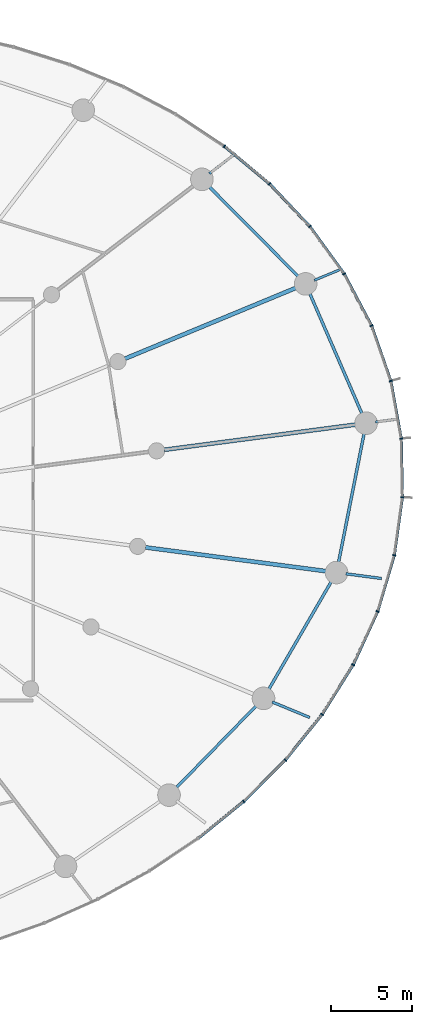
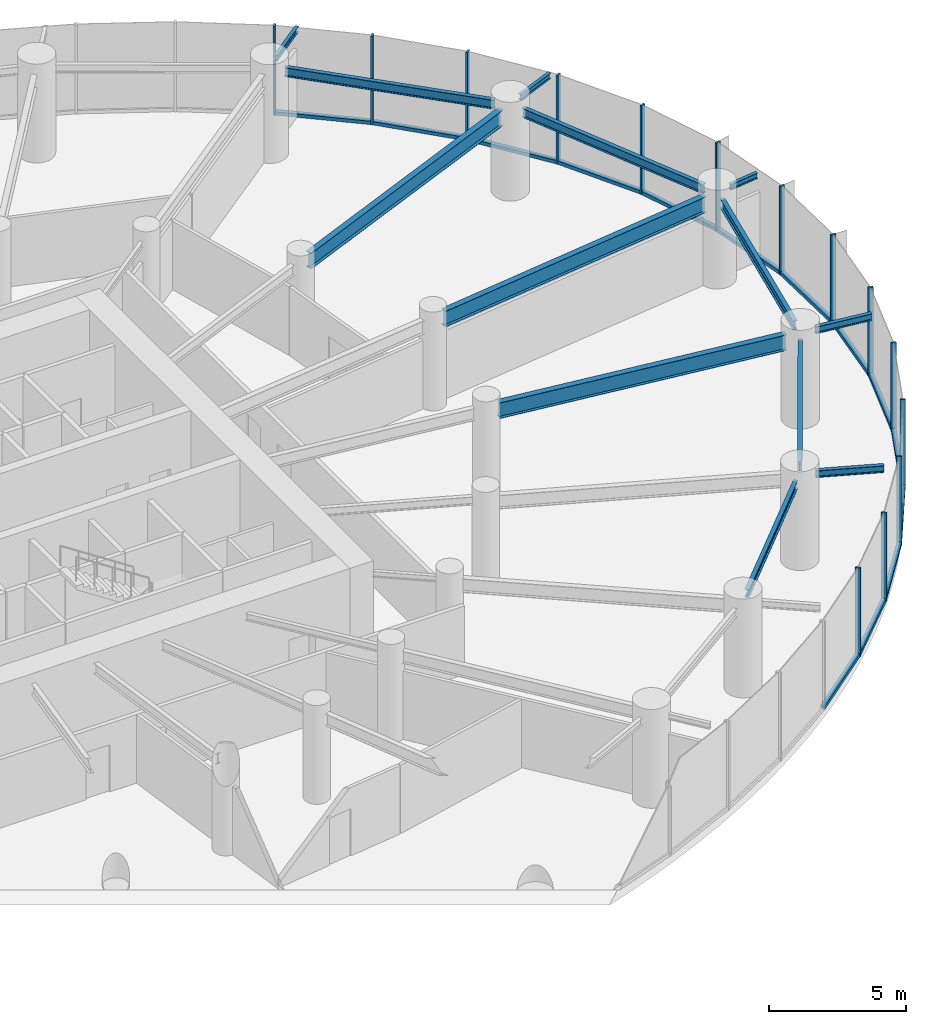
# One storey, part 8 of 17: 28 members, 13 beams, 4 elements without a shape of their own.
"""IFC4 building model written with IfcOpenShell, lengths in metres."""

from ifc_helpers import new_model, si_unit, direction, frame, origin, origin_2d, place, context, subcontext, project, spatial, rectangle, i_section, extrude, source, transform, mapped, material, layer, layer_set, material_profile, profile_set, type_object, element, aggregate, save


model = new_model("IFC4")

# Units and contexts
model_context = context("Model", 3, precision=1e-05, world=origin(), true_north=direction((0.0, 1.0)))
body_context = subcontext(model_context, "Body", "Model", "MODEL_VIEW")
ifc_project = project(units=[si_unit("LENGTHUNIT", "METRE"), si_unit("AREAUNIT", "SQUARE_METRE"), si_unit("VOLUMEUNIT", "CUBIC_METRE"), si_unit("PLANEANGLEUNIT", "RADIAN"), si_unit("MASSUNIT", "GRAM", prefix="KILO")], contexts=[model_context])

# Site, building, storey
site_placement = place(None, origin())
site = spatial("IfcSite", under=ifc_project, at=site_placement, CompositionType="ELEMENT")
building_placement = place(site_placement, origin())
building = spatial("IfcBuilding", under=site, at=building_placement, Name="Spindrift Exchange Tower", CompositionType="ELEMENT")
storey_placement = place(building_placement, frame((0.0, 0.0, 35.800048828125)))
storey = spatial("IfcBuildingStorey", under=building, at=storey_placement, Name="L08", CompositionType="ELEMENT", Elevation=35.800048828125)

# Beams
ifc_material_1 = material(Name="Steel Grade 300", Category="steel")
ifc_material_profile_1 = material_profile(ifc_material_1, i_section(OverallWidth=0.25, OverallDepth=0.699951171875, WebThickness=0.008056640625, FlangeThickness=0.011962890625, at=origin_2d()), Name="700WB115")
ifc_profile_set_1 = profile_set([ifc_material_profile_1], Name="Steel Grade 300")
beam_type_1 = type_object("IfcBeamType", Name="Floor Beam 700WB115 Steel Grade 300", PredefinedType="BEAM", material=ifc_profile_set_1)
shared_shape_1 = source(origin(), body_context, "Body", "SweptSolid", [
    extrude(i_section(OverallWidth=0.25, OverallDepth=0.699951171875, WebThickness=0.008056640625, FlangeThickness=0.011962890625, at=origin_2d()), origin(), (0.0, 0.0, 1.0), 12.00830078125),
])
beam_1_placement = place(storey_placement, frame((75.509765625, 51.09521484375, 3.599853515625), z_axis=(0.991444950947, 0.130525511844, 0.0), x_axis=(-0.130525511844, 0.991444950947, 0.0)))
element("IfcBeam", 1, at=beam_1_placement, inside=storey, type_object=beam_type_1, Name="L08 radial beam R01B", PredefinedType="BEAM", context=body_context, shape_type="MappedRepresentation", body=[
    mapped(shared_shape_1, transform((0.0, 0.0, 0.0), scale=1.0)),
])
shared_shape_2 = source(origin(), body_context, "Body", "SweptSolid", [
    extrude(i_section(OverallWidth=0.25, OverallDepth=0.699951171875, WebThickness=0.008056640625, FlangeThickness=0.011962890625, at=origin_2d()), origin(), (0.0, 0.0, 1.0), 11.505859375),
])
beam_2_placement = place(storey_placement, frame((73.082763671875, 56.73291015625, 3.599853515625), z_axis=(0.923881578419, 0.38267849307, 0.0), x_axis=(-0.38267849307, 0.923881578419, 0.0)))
element("IfcBeam", 2, at=beam_2_placement, inside=storey, type_object=beam_type_1, Name="L08 radial beam R02B", PredefinedType="BEAM", context=body_context, shape_type="MappedRepresentation", body=[
    mapped(shared_shape_2, transform((0.0, 0.0, 0.0), scale=1.0)),
])
shared_shape_3 = source(origin(), body_context, "Body", "SweptSolid", [
    extrude(i_section(OverallWidth=0.25, OverallDepth=0.699951171875, WebThickness=0.008056640625, FlangeThickness=0.011962890625, at=origin_2d()), origin(), (0.0, 0.0, 1.0), 11.34423828125),
])
beam_3_placement = place(storey_placement, frame((74.339111328125, 45.05908203125, 3.599853515625), z_axis=(0.991444770187, -0.130526884848, 0.0), x_axis=(0.130526884848, 0.991444770187, 0.0)))
element("IfcBeam", 3, at=beam_3_placement, inside=storey, type_object=beam_type_1, Name="L08 radial beam R24B", PredefinedType="BEAM", context=body_context, shape_type="MappedRepresentation", body=[
    mapped(shared_shape_3, transform((0.0, 0.0, 0.0), scale=1.0)),
])
ifc_material_profile_2 = material_profile(ifc_material_1, i_section(OverallWidth=0.177978515625, OverallDepth=0.406005859375, WebThickness=0.0078125, FlangeThickness=0.0126953125, FilletRadius=0.013916015625, at=origin_2d()), Name="410UB59.7")
ifc_profile_set_2 = profile_set([ifc_material_profile_2], Name="Steel Grade 300")
beam_type_2 = type_object("IfcBeamType", Name="Edge Beam 410UB59.7 Steel Grade 300", PredefinedType="SPANDREL", material=ifc_profile_set_2)
shared_shape_4 = source(origin(), body_context, "Body", "SweptSolid", [
    extrude(i_section(OverallWidth=0.177978515625, OverallDepth=0.406005859375, WebThickness=0.0078125, FlangeThickness=0.0126953125, FilletRadius=0.013916015625, at=origin_2d()), origin(), (0.0, 0.0, 1.0), 8.23681640625),
])
beam_4_placement = place(storey_placement, frame((87.759521484375, 53.270263671875, 3.7470703125), z_axis=(-0.398186298756, 0.91730456855, 0.0), x_axis=(-0.91730456855, -0.398186298756, 0.0)))
element("IfcBeam", 4, at=beam_4_placement, inside=storey, type_object=beam_type_2, Name="L08 edge beam E01", PredefinedType="SPANDREL", context=body_context, shape_type="MappedRepresentation", body=[
    mapped(shared_shape_4, transform((0.0, 0.0, 0.0), scale=1.0)),
])
shared_shape_5 = source(origin(), body_context, "Body", "SweptSolid", [
    extrude(i_section(OverallWidth=0.177978515625, OverallDepth=0.406005859375, WebThickness=0.0078125, FlangeThickness=0.0126953125, FilletRadius=0.013916015625, at=origin_2d()), origin(), (0.0, 0.0, 1.0), 7.947509765625),
])
beam_5_placement = place(storey_placement, frame((83.840576171875, 61.769775390625, 3.7470703125), z_axis=(-0.704197895271, 0.710003749494, 0.0), x_axis=(-0.710003749494, -0.704197895271, 0.0)))
element("IfcBeam", 5, at=beam_5_placement, inside=storey, type_object=beam_type_2, Name="L08 edge beam E02", PredefinedType="SPANDREL", context=body_context, shape_type="MappedRepresentation", body=[
    mapped(shared_shape_5, transform((0.0, 0.0, 0.0), scale=1.0)),
])
ifc_material_profile_3 = material_profile(ifc_material_1, i_section(OverallWidth=0.172119140625, OverallDepth=0.35888671875, WebThickness=0.008056640625, FlangeThickness=0.012939453125, FilletRadius=0.013916015625, at=origin_2d()), Name="360UB56.7")
ifc_profile_set_3 = profile_set([ifc_material_profile_3], Name="Steel Grade 300")
beam_type_3 = type_object("IfcBeamType", Name="Edge Beam 360UB56.7 Steel Grade 300", PredefinedType="SPANDREL", material=ifc_profile_set_3)
shared_shape_6 = source(origin(), body_context, "Body", "SweptSolid", [
    extrude(i_section(OverallWidth=0.172119140625, OverallDepth=0.35888671875, WebThickness=0.008056640625, FlangeThickness=0.012939453125, FilletRadius=0.013916015625, at=origin_2d()), origin(), (0.0, 0.0, 1.0), 7.2041015625),
])
beam_6_placement = place(storey_placement, frame((76.205810546875, 30.152099609375, 3.7705078125), z_axis=(0.698703626006, 0.715411240481, 0.0), x_axis=(-0.715411240481, 0.698703626006, 0.0)))
element("IfcBeam", 6, at=beam_6_placement, inside=storey, type_object=beam_type_3, Name="L08 edge beam E22", PredefinedType="SPANDREL", context=body_context, shape_type="MappedRepresentation", body=[
    mapped(shared_shape_6, transform((0.0, 0.0, 0.0), scale=1.0)),
])
shared_shape_7 = source(origin(), body_context, "Body", "SweptSolid", [
    extrude(i_section(OverallWidth=0.177978515625, OverallDepth=0.406005859375, WebThickness=0.0078125, FlangeThickness=0.0126953125, FilletRadius=0.013916015625, at=origin_2d()), origin(), (0.0, 0.0, 1.0), 7.837646484375),
])
beam_7_placement = place(storey_placement, frame((81.935791015625, 36.222412109375, 3.7470703125), z_axis=(0.50198145655, 0.864878382942, 0.0), x_axis=(-0.864878382942, 0.50198145655, 0.0)))
element("IfcBeam", 7, at=beam_7_placement, inside=storey, type_object=beam_type_2, Name="L08 edge beam E23", PredefinedType="SPANDREL", context=body_context, shape_type="MappedRepresentation", body=[
    mapped(shared_shape_7, transform((0.0, 0.0, 0.0), scale=1.0)),
])
shared_shape_8 = source(origin(), body_context, "Body", "SweptSolid", [
    extrude(i_section(OverallWidth=0.177978515625, OverallDepth=0.406005859375, WebThickness=0.0078125, FlangeThickness=0.0126953125, FilletRadius=0.013916015625, at=origin_2d()), origin(), (0.0, 0.0, 1.0), 8.2548828125),
])
beam_8_placement = place(storey_placement, frame((86.27392578125, 44.071533203125, 3.7470703125), z_axis=(0.194278723288, 0.9809463684, 0.0), x_axis=(-0.9809463684, 0.194278723288, 0.0)))
element("IfcBeam", 8, at=beam_8_placement, inside=storey, type_object=beam_type_2, Name="L08 edge beam E24", PredefinedType="SPANDREL", context=body_context, shape_type="MappedRepresentation", body=[
    mapped(shared_shape_8, transform((0.0, 0.0, 0.0), scale=1.0)),
])
ifc_material_profile_4 = material_profile(ifc_material_1, i_section(OverallWidth=0.14599609375, OverallDepth=0.251953125, WebThickness=0.006103515625, FlangeThickness=0.008544921875, FilletRadius=0.011962890625, at=origin_2d()), Name="250UB31.4")
ifc_profile_set_4 = profile_set([ifc_material_profile_4], Name="Steel Grade 300")
beam_type_4 = type_object("IfcBeamType", Name="Cantilever Beam 250UB31.4 Steel Grade 300", PredefinedType="BEAM", material=ifc_profile_set_4)
shared_shape_9 = source(origin(), body_context, "Body", "SweptSolid", [
    extrude(i_section(OverallWidth=0.14599609375, OverallDepth=0.251953125, WebThickness=0.006103515625, FlangeThickness=0.008544921875, FilletRadius=0.011962890625, at=origin_2d()), origin(), (0.0, 0.0, 1.0), 1.23876953125),
])
beam_9_placement = place(storey_placement, frame((88.5654296875, 52.81396484375, 3.823974609375), z_axis=(0.991453624771, 0.130459610336, 0.0), x_axis=(-0.130459610336, 0.991453624771, 0.0)))
element("IfcBeam", 9, at=beam_9_placement, inside=storey, type_object=beam_type_4, Name="L08 cantilever beam R01T", PredefinedType="BEAM", context=body_context, shape_type="MappedRepresentation", body=[
    mapped(shared_shape_9, transform((0.0, 0.0, 0.0), scale=1.0)),
])
shared_shape_10 = source(origin(), body_context, "Body", "SweptSolid", [
    extrude(i_section(OverallWidth=0.14599609375, OverallDepth=0.251953125, WebThickness=0.006103515625, FlangeThickness=0.008544921875, FilletRadius=0.011962890625, at=origin_2d()), origin(), (0.0, 0.0, 1.0), 1.779296875),
])
beam_10_placement = place(storey_placement, frame((84.78466796875, 61.579833984375, 3.823974609375), z_axis=(0.923874677021, 0.382695154346, 0.0), x_axis=(-0.382695154346, 0.923874677021, 0.0)))
element("IfcBeam", 10, at=beam_10_placement, inside=storey, type_object=beam_type_4, Name="L08 cantilever beam R02T", PredefinedType="BEAM", context=body_context, shape_type="MappedRepresentation", body=[
    mapped(shared_shape_10, transform((0.0, 0.0, 0.0), scale=1.0)),
])
shared_shape_11 = source(origin(), body_context, "Body", "SweptSolid", [
    extrude(i_section(OverallWidth=0.14599609375, OverallDepth=0.251953125, WebThickness=0.006103515625, FlangeThickness=0.008544921875, FilletRadius=0.011962890625, at=origin_2d()), origin(), (0.0, 0.0, 1.0), 2.045166015625),
])
beam_11_placement = place(storey_placement, frame((78.295654296875, 68.177490234375, 3.823974609375), z_axis=(0.793391112466, 0.60871220019, 0.0), x_axis=(-0.60871220019, 0.793391112466, 0.0)))
element("IfcBeam", 11, at=beam_11_placement, inside=storey, type_object=beam_type_4, Name="L08 cantilever beam R03T", PredefinedType="BEAM", context=body_context, shape_type="MappedRepresentation", body=[
    mapped(shared_shape_11, transform((0.0, 0.0, 0.0), scale=1.0)),
])
ifc_material_profile_5 = material_profile(ifc_material_1, i_section(OverallWidth=0.1650390625, OverallDepth=0.303955078125, WebThickness=0.006103515625, FlangeThickness=0.01025390625, FilletRadius=0.011474609375, at=origin_2d()), Name="310UB40.4")
ifc_profile_set_5 = profile_set([ifc_material_profile_5], Name="Steel Grade 300")
beam_type_5 = type_object("IfcBeamType", Name="Cantilever Beam 310UB40.4 Steel Grade 300", PredefinedType="BEAM", material=ifc_profile_set_5)
shared_shape_12 = source(origin(), body_context, "Body", "SweptSolid", [
    extrude(i_section(OverallWidth=0.1650390625, OverallDepth=0.303955078125, WebThickness=0.006103515625, FlangeThickness=0.01025390625, FilletRadius=0.011474609375, at=origin_2d()), origin(), (0.0, 0.0, 1.0), 2.515380859375),
])
beam_12_placement = place(storey_placement, frame((82.180419921875, 35.498779296875, 3.7978515625), z_axis=(0.923910375948, -0.382608961234, 0.0), x_axis=(0.382608961234, 0.923910375948, 0.0)))
element("IfcBeam", 12, at=beam_12_placement, inside=storey, type_object=beam_type_5, Name="L08 cantilever beam R23T", PredefinedType="BEAM", context=body_context, shape_type="MappedRepresentation", body=[
    mapped(shared_shape_12, transform((0.0, 0.0, 0.0), scale=1.0)),
])
shared_shape_13 = source(origin(), body_context, "Body", "SweptSolid", [
    extrude(i_section(OverallWidth=0.1650390625, OverallDepth=0.303955078125, WebThickness=0.006103515625, FlangeThickness=0.01025390625, FilletRadius=0.011474609375, at=origin_2d()), origin(), (0.0, 0.0, 1.0), 2.224365234375),
])
beam_13_placement = place(storey_placement, frame((86.736083984375, 43.427001953125, 3.7978515625), z_axis=(0.991447943471, -0.13050277923, 0.0), x_axis=(0.13050277923, 0.991447943471, 0.0)))
element("IfcBeam", 13, at=beam_13_placement, inside=storey, type_object=beam_type_5, Name="L08 cantilever beam R24T", PredefinedType="BEAM", context=body_context, shape_type="MappedRepresentation", body=[
    mapped(shared_shape_13, transform((0.0, 0.0, 0.0), scale=1.0)),
])

# Curtain wall, members
ifc_material_2 = material(Name="Fritted laminated glass with bronze frame", Category="glass")
ifc_layer = layer(ifc_material_2, 0.199951171875)
ifc_layer_set = layer_set([ifc_layer], Name="ZONE 1 BRONZE FRITTED WALL")
curtain_wall_type = type_object("IfcCurtainWallType", Name="ZONE 1 BRONZE FRITTED WALL", PredefinedType="NOTDEFINED", material=ifc_layer_set)
curtain_wall_1_placement = place(storey_placement, origin())
curtain_wall_1 = element("IfcCurtainWall", 14, at=curtain_wall_1_placement, inside=storey, type_object=curtain_wall_type, Name="L08 Zone 1 Bronze Fritted Wall run 1", PredefinedType="NOTDEFINED")
ifc_material_3 = material(Name="Bronze anodised aluminium", Category="aluminium")
ifc_material_profile_6 = material_profile(ifc_material_3, rectangle(XDim=0.080078125, YDim=0.199951171875, at=origin_2d()), Name="ZONE 1 BRONZE FRITTED WALL MULLION 80X200")
ifc_profile_set_6 = profile_set([ifc_material_profile_6], Name="Bronze anodised aluminium")
member_type_1 = type_object("IfcMemberType", Name="ZONE 1 BRONZE FRITTED WALL MULLION 80X200", PredefinedType="MULLION", material=ifc_profile_set_6)
shared_shape_14 = source(origin(), body_context, "Body", "SweptSolid", [
    extrude(rectangle(XDim=0.080078125, YDim=0.199951171875, at=origin_2d()), origin(), (0.0, 0.0, 1.0), 3.949951171875),
])
member_1_placement = place(storey_placement, frame((90.162841796875, 51.783935546875, 0.0), z_axis=(0.0, 0.0, 1.0), x_axis=(-0.098676036187, 0.995119610842, 0.0)))
member_1 = element("IfcMember", 15, at=member_1_placement, type_object=member_type_1, Name="L08 mullion CW-1.1", PredefinedType="MULLION", context=body_context, shape_type="MappedRepresentation", body=[
    mapped(shared_shape_14, transform((0.0, 0.0, 0.0), scale=1.0)),
])
member_2_placement = place(storey_placement, frame((89.51904296875, 55.3505859375, 0.0), z_axis=(0.0, 0.0, 1.0), x_axis=(-0.254278344063, 0.967131078883, 0.0)))
member_2 = element("IfcMember", 16, at=member_2_placement, type_object=member_type_1, Name="L08 mullion CW-1.2", PredefinedType="MULLION", context=body_context, shape_type="MappedRepresentation", body=[
    mapped(shared_shape_14, transform((0.0, 0.0, 0.0), scale=1.0)),
])
member_3_placement = place(storey_placement, frame((88.3251953125, 58.77294921875, 0.0), z_axis=(0.0, 0.0, 1.0), x_axis=(-0.399383595895, 0.916783913106, 0.0)))
member_3 = element("IfcMember", 17, at=member_3_placement, type_object=member_type_1, Name="L08 mullion CW-1.3", PredefinedType="MULLION", context=body_context, shape_type="MappedRepresentation", body=[
    mapped(shared_shape_14, transform((0.0, 0.0, 0.0), scale=1.0)),
])
member_4_placement = place(storey_placement, frame((86.6318359375, 61.97802734375, 0.0), z_axis=(0.0, 0.0, 1.0), x_axis=(-0.528241078062, 0.849094437297, 0.0)))
member_4 = element("IfcMember", 18, at=member_4_placement, type_object=member_type_1, Name="L08 mullion CW-1.4", PredefinedType="MULLION", context=body_context, shape_type="MappedRepresentation", body=[
    mapped(shared_shape_14, transform((0.0, 0.0, 0.0), scale=1.0)),
])
member_5_placement = place(storey_placement, frame((84.5048828125, 64.9140625, 0.0), z_axis=(0.0, 0.0, 1.0), x_axis=(-0.638126828428, 0.769931263712, 0.0)))
member_5 = element("IfcMember", 19, at=member_5_placement, type_object=member_type_1, Name="L08 mullion CW-1.5", PredefinedType="MULLION", context=body_context, shape_type="MappedRepresentation", body=[
    mapped(shared_shape_14, transform((0.0, 0.0, 0.0), scale=1.0)),
])
member_6_placement = place(storey_placement, frame((82.014404296875, 67.54931640625, 0.0), z_axis=(0.0, 0.0, 1.0), x_axis=(-0.728961563626, 0.684554628029, 0.0)))
member_6 = element("IfcMember", 20, at=member_6_placement, type_object=member_type_1, Name="L08 mullion CW-1.6", PredefinedType="MULLION", context=body_context, shape_type="MappedRepresentation", body=[
    mapped(shared_shape_14, transform((0.0, 0.0, 0.0), scale=1.0)),
])

# Curtain wall, member
curtain_wall_2_placement = place(storey_placement, origin())
curtain_wall_2 = element("IfcCurtainWall", 21, at=curtain_wall_2_placement, inside=storey, type_object=curtain_wall_type, Name="L08 Zone 1 Bronze Fritted Wall run 2", PredefinedType="NOTDEFINED")
member_7_placement = place(storey_placement, frame((79.227783203125, 69.86962890625, 0.0), z_axis=(0.0, 0.0, 1.0), x_axis=(-0.802330033716, 0.596880655573, 0.0)))
member_7 = element("IfcMember", 22, at=member_7_placement, type_object=member_type_1, Name="L08 mullion CW-1.7", PredefinedType="MULLION", context=body_context, shape_type="MappedRepresentation", body=[
    mapped(shared_shape_14, transform((0.0, 0.0, 0.0), scale=1.0)),
])
aggregate(curtain_wall_2, [member_7])

# Curtain wall, members
curtain_wall_3_placement = place(storey_placement, origin())
curtain_wall_3 = element("IfcCurtainWall", 23, at=curtain_wall_3_placement, inside=storey, type_object=curtain_wall_type, Name="L08 Zone 1 Bronze Fritted Wall run 9", PredefinedType="NOTDEFINED")
member_8_placement = place(storey_placement, frame((80.42041015625, 29.345947265625, 0.0), z_axis=(0.0, 0.0, 1.0), x_axis=(0.743714276523, 0.668497625199, 0.0)))
member_8 = element("IfcMember", 24, at=member_8_placement, type_object=member_type_1, Name="L08 mullion CW-1.53", PredefinedType="MULLION", context=body_context, shape_type="MappedRepresentation", body=[
    mapped(shared_shape_14, transform((0.0, 0.0, 0.0), scale=1.0)),
])
member_9_placement = place(storey_placement, frame((82.9921875, 31.90283203125, 0.0), z_axis=(0.0, 0.0, 1.0), x_axis=(0.669499988503, 0.742812065999, 0.0)))
member_9 = element("IfcMember", 25, at=member_9_placement, type_object=member_type_1, Name="L08 mullion CW-1.54", PredefinedType="MULLION", context=body_context, shape_type="MappedRepresentation", body=[
    mapped(shared_shape_14, transform((0.0, 0.0, 0.0), scale=1.0)),
])

curtain_wall_4_placement = place(storey_placement, origin())
curtain_wall_4 = element("IfcCurtainWall", 26, at=curtain_wall_4_placement, inside=storey, type_object=curtain_wall_type, Name="L08 Zone 1 Bronze Fritted Wall run 10", PredefinedType="NOTDEFINED")
member_10_placement = place(storey_placement, frame((85.268798828125, 34.725341796875, 0.0), z_axis=(0.0, 0.0, 1.0), x_axis=(0.580338561729, 0.814375315055, 0.0)))
member_10 = element("IfcMember", 27, at=member_10_placement, type_object=member_type_1, Name="L08 mullion CW-1.55", PredefinedType="MULLION", context=body_context, shape_type="MappedRepresentation", body=[
    mapped(shared_shape_14, transform((0.0, 0.0, 0.0), scale=1.0)),
])
member_11_placement = place(storey_placement, frame((87.193359375, 37.79833984375, 0.0), z_axis=(0.0, 0.0, 1.0), x_axis=(0.474517118922, 0.880246274545, 0.0)))
member_11 = element("IfcMember", 28, at=member_11_placement, type_object=member_type_1, Name="L08 mullion CW-1.56", PredefinedType="MULLION", context=body_context, shape_type="MappedRepresentation", body=[
    mapped(shared_shape_14, transform((0.0, 0.0, 0.0), scale=1.0)),
])
member_12_placement = place(storey_placement, frame((88.702392578125, 41.0947265625, 0.0), z_axis=(0.0, 0.0, 1.0), x_axis=(0.351217823041, 0.936293779098, 0.0)))
member_12 = element("IfcMember", 29, at=member_12_placement, type_object=member_type_1, Name="L08 mullion CW-1.57", PredefinedType="MULLION", context=body_context, shape_type="MappedRepresentation", body=[
    mapped(shared_shape_14, transform((0.0, 0.0, 0.0), scale=1.0)),
])
member_13_placement = place(storey_placement, frame((89.7333984375, 44.570068359375, 0.0), z_axis=(0.0, 0.0, 1.0), x_axis=(0.211585391273, 0.977359515327, 0.0)))
member_13 = element("IfcMember", 30, at=member_13_placement, type_object=member_type_1, Name="L08 mullion CW-1.58", PredefinedType="MULLION", context=body_context, shape_type="MappedRepresentation", body=[
    mapped(shared_shape_14, transform((0.0, 0.0, 0.0), scale=1.0)),
])
member_14_placement = place(storey_placement, frame((90.232177734375, 48.16015625, 0.0), z_axis=(0.0, 0.0, 1.0), x_axis=(0.059417750202, 0.998233204698, 0.0)))
member_14 = element("IfcMember", 31, at=member_14_placement, type_object=member_type_1, Name="L08 mullion CW-1.59", PredefinedType="MULLION", context=body_context, shape_type="MappedRepresentation", body=[
    mapped(shared_shape_14, transform((0.0, 0.0, 0.0), scale=1.0)),
])

# Member
ifc_material_profile_7 = material_profile(ifc_material_3, rectangle(XDim=0.179931640625, YDim=0.14990234375, at=origin_2d()), Name="ZONE 1 BRONZE FRITTED WALL TRANSOM 180X150")
ifc_profile_set_7 = profile_set([ifc_material_profile_7], Name="Bronze anodised aluminium")
member_type_2 = type_object("IfcMemberType", Name="ZONE 1 BRONZE FRITTED WALL TRANSOM 180X150", PredefinedType="USERDEFINED", material=ifc_profile_set_7)
shared_shape_15 = source(origin(), body_context, "Body", "SweptSolid", [
    extrude(rectangle(XDim=0.179931640625, YDim=0.14990234375, at=origin_2d()), origin(), (0.0, 0.0, 1.0), 3.54443359375),
])
member_15_placement = place(storey_placement, frame((90.15576171875, 51.8232421875, 0.074951171875), z_axis=(-0.17764269213, 0.984095053302, 0.0), x_axis=(-0.984095053302, -0.17764269213, 0.0)))
member_15 = element("IfcMember", 32, at=member_15_placement, type_object=member_type_2, Name="L08 transom CW-1.1", ObjectType="TRANSOM", PredefinedType="USERDEFINED", context=body_context, shape_type="MappedRepresentation", body=[
    mapped(shared_shape_15, transform((0.0, 0.0, 0.0), scale=1.0)),
])

member_16_placement = place(storey_placement, frame((89.739013671875, 44.609619140625, 0.074951171875), z_axis=(0.137553354272, 0.990494358756, 0.0), x_axis=(-0.990494358756, 0.137553354272, 0.0)))
member_16 = element("IfcMember", 33, at=member_16_placement, type_object=member_type_2, Name="L08 transom CW-1.58", ObjectType="TRANSOM", PredefinedType="USERDEFINED", context=body_context, shape_type="MappedRepresentation", body=[
    mapped(shared_shape_15, transform((0.0, 0.0, 0.0), scale=1.0)),
])

member_17_placement = place(storey_placement, frame((90.2314453125, 48.2001953125, 0.074951171875), z_axis=(-0.019149088925, 0.999816639386, 0.0), x_axis=(-0.999816639386, -0.019149088925, 0.0)))
member_17 = element("IfcMember", 34, at=member_17_placement, type_object=member_type_2, Name="L08 transom CW-1.59", ObjectType="TRANSOM", PredefinedType="USERDEFINED", context=body_context, shape_type="MappedRepresentation", body=[
    mapped(shared_shape_15, transform((0.0, 0.0, 0.0), scale=1.0)),
])

shared_shape_16 = source(origin(), body_context, "Body", "SweptSolid", [
    extrude(rectangle(XDim=0.179931640625, YDim=0.14990234375, at=origin_2d()), origin(), (0.0, 0.0, 1.0), 3.544921875),
])
member_18_placement = place(storey_placement, frame((88.306640625, 58.808349609375, 0.074951171875), z_axis=(-0.467156589902, 0.884174598431, 0.0), x_axis=(-0.884174598431, -0.467156589902, 0.0)))
member_18 = element("IfcMember", 35, at=member_18_placement, type_object=member_type_2, Name="L08 transom CW-1.3", ObjectType="TRANSOM", PredefinedType="USERDEFINED", context=body_context, shape_type="MappedRepresentation", body=[
    mapped(shared_shape_16, transform((0.0, 0.0, 0.0), scale=1.0)),
])

shared_shape_17 = source(origin(), body_context, "Body", "SweptSolid", [
    extrude(rectangle(XDim=0.179931640625, YDim=0.14990234375, at=origin_2d()), origin(), (0.0, 0.0, 1.0), 3.545654296875),
])
member_19_placement = place(storey_placement, frame((84.477294921875, 64.943115234375, 0.074951171875), z_axis=(-0.686821646103, 0.726825994613, 0.0), x_axis=(-0.726825994613, -0.686821646103, 0.0)))
member_19 = element("IfcMember", 36, at=member_19_placement, type_object=member_type_2, Name="L08 transom CW-1.5", ObjectType="TRANSOM", PredefinedType="USERDEFINED", context=body_context, shape_type="MappedRepresentation", body=[
    mapped(shared_shape_17, transform((0.0, 0.0, 0.0), scale=1.0)),
])

shared_shape_18 = source(origin(), body_context, "Body", "SweptSolid", [
    extrude(rectangle(XDim=0.179931640625, YDim=0.14990234375, at=origin_2d()), origin(), (0.0, 0.0, 1.0), 3.546142578125),
])
member_20_placement = place(storey_placement, frame((81.983642578125, 67.574951171875, 0.074951171875), z_axis=(-0.768480807067, 0.63987283828, 0.0), x_axis=(-0.63987283828, -0.768480807067, 0.0)))
member_20 = element("IfcMember", 37, at=member_20_placement, type_object=member_type_2, Name="L08 transom CW-1.6", ObjectType="TRANSOM", PredefinedType="USERDEFINED", context=body_context, shape_type="MappedRepresentation", body=[
    mapped(shared_shape_18, transform((0.0, 0.0, 0.0), scale=1.0)),
])

member_21_placement = place(storey_placement, frame((83.017333984375, 31.93408203125, 0.074951171875), z_axis=(0.627880281947, 0.77830993283, 0.0), x_axis=(-0.77830993283, 0.627880281947, 0.0)))
member_21 = element("IfcMember", 38, at=member_21_placement, type_object=member_type_2, Name="L08 transom CW-1.54", ObjectType="TRANSOM", PredefinedType="USERDEFINED", context=body_context, shape_type="MappedRepresentation", body=[
    mapped(shared_shape_18, transform((0.0, 0.0, 0.0), scale=1.0)),
])

shared_shape_19 = source(origin(), body_context, "Body", "SweptSolid", [
    extrude(rectangle(XDim=0.179931640625, YDim=0.14990234375, at=origin_2d()), origin(), (0.0, 0.0, 1.0), 3.546875),
])
member_22_placement = place(storey_placement, frame((77.635498046875, 27.08544921875, 0.074951171875), z_axis=(0.776417092057, 0.630219405574, 0.0), x_axis=(-0.630219405574, 0.776417092057, 0.0)))
member_22 = element("IfcMember", 39, at=member_22_placement, type_object=member_type_2, Name="L08 transom CW-1.52", ObjectType="TRANSOM", PredefinedType="USERDEFINED", context=body_context, shape_type="MappedRepresentation", body=[
    mapped(shared_shape_19, transform((0.0, 0.0, 0.0), scale=1.0)),
])

shared_shape_20 = source(origin(), body_context, "Body", "SweptSolid", [
    extrude(rectangle(XDim=0.179931640625, YDim=0.14990234375, at=origin_2d()), origin(), (0.0, 0.0, 1.0), 3.545166015625),
])
member_23_placement = place(storey_placement, frame((88.7138671875, 41.133056640625, 0.074951171875), z_axis=(0.284421271703, 0.958699400335, 0.0), x_axis=(-0.958699400335, 0.284421271703, 0.0)))
member_23 = element("IfcMember", 40, at=member_23_placement, type_object=member_type_2, Name="L08 transom CW-1.57", ObjectType="TRANSOM", PredefinedType="USERDEFINED", context=body_context, shape_type="MappedRepresentation", body=[
    mapped(shared_shape_20, transform((0.0, 0.0, 0.0), scale=1.0)),
])

shared_shape_21 = source(origin(), body_context, "Body", "SweptSolid", [
    extrude(rectangle(XDim=0.179931640625, YDim=0.14990234375, at=origin_2d()), origin(), (0.0, 0.0, 1.0), 3.546630859375),
])
member_24_placement = place(storey_placement, frame((80.44873046875, 29.3740234375, 0.074951171875), z_axis=(0.70910026528, 0.705107661127, 0.0), x_axis=(-0.705107661127, 0.70910026528, 0.0)))
member_24 = element("IfcMember", 41, at=member_24_placement, type_object=member_type_2, Name="L08 transom CW-1.53", ObjectType="TRANSOM", PredefinedType="USERDEFINED", context=body_context, shape_type="MappedRepresentation", body=[
    mapped(shared_shape_21, transform((0.0, 0.0, 0.0), scale=1.0)),
])

aggregate(curtain_wall_3, [member_22, member_8, member_24, member_9, member_21])

shared_shape_22 = source(origin(), body_context, "Body", "SweptSolid", [
    extrude(rectangle(XDim=0.179931640625, YDim=0.14990234375, at=origin_2d()), origin(), (0.0, 0.0, 1.0), 3.5458984375),
])
member_25_placement = place(storey_placement, frame((85.2900390625, 34.75927734375, 0.074951171875), z_axis=(0.530784715081, 0.847506688019, 0.0), x_axis=(-0.847506688019, 0.530784715081, 0.0)))
member_25 = element("IfcMember", 42, at=member_25_placement, type_object=member_type_2, Name="L08 transom CW-1.55", ObjectType="TRANSOM", PredefinedType="USERDEFINED", context=body_context, shape_type="MappedRepresentation", body=[
    mapped(shared_shape_22, transform((0.0, 0.0, 0.0), scale=1.0)),
])

shared_shape_23 = source(origin(), body_context, "Body", "SweptSolid", [
    extrude(rectangle(XDim=0.179931640625, YDim=0.14990234375, at=origin_2d()), origin(), (0.0, 0.0, 1.0), 3.544677734375),
])
member_26_placement = place(storey_placement, frame((89.505859375, 55.388427734375, 0.074951171875), z_axis=(-0.329359304529, 0.94420466453, 0.0), x_axis=(-0.94420466453, -0.329359304529, 0.0)))
member_26 = element("IfcMember", 43, at=member_26_placement, type_object=member_type_2, Name="L08 transom CW-1.2", ObjectType="TRANSOM", PredefinedType="USERDEFINED", context=body_context, shape_type="MappedRepresentation", body=[
    mapped(shared_shape_23, transform((0.0, 0.0, 0.0), scale=1.0)),
])

shared_shape_24 = source(origin(), body_context, "Body", "SweptSolid", [
    extrude(rectangle(XDim=0.179931640625, YDim=0.14990234375, at=origin_2d()), origin(), (0.0, 0.0, 1.0), 3.54541015625),
])
member_27_placement = place(storey_placement, frame((86.6083984375, 62.010498046875, 0.074951171875), z_axis=(-0.586696720626, 0.809806741146, 0.0), x_axis=(-0.809806741146, -0.586696720626, 0.0)))
member_27 = element("IfcMember", 44, at=member_27_placement, type_object=member_type_2, Name="L08 transom CW-1.4", ObjectType="TRANSOM", PredefinedType="USERDEFINED", context=body_context, shape_type="MappedRepresentation", body=[
    mapped(shared_shape_24, transform((0.0, 0.0, 0.0), scale=1.0)),
])

aggregate(curtain_wall_1, [member_1, member_15, member_2, member_26, member_3, member_18, member_4, member_27, member_5, member_19, member_6, member_20])

member_28_placement = place(storey_placement, frame((87.2099609375, 37.834716796875, 0.074951171875), z_axis=(0.416265809262, 0.90924296865, 0.0), x_axis=(-0.90924296865, 0.416265809262, 0.0)))
member_28 = element("IfcMember", 45, at=member_28_placement, type_object=member_type_2, Name="L08 transom CW-1.56", ObjectType="TRANSOM", PredefinedType="USERDEFINED", context=body_context, shape_type="MappedRepresentation", body=[
    mapped(shared_shape_24, transform((0.0, 0.0, 0.0), scale=1.0)),
])

aggregate(curtain_wall_4, [member_10, member_25, member_11, member_28, member_12, member_23, member_13, member_16, member_14, member_17])

save(model, "model.ifc")
